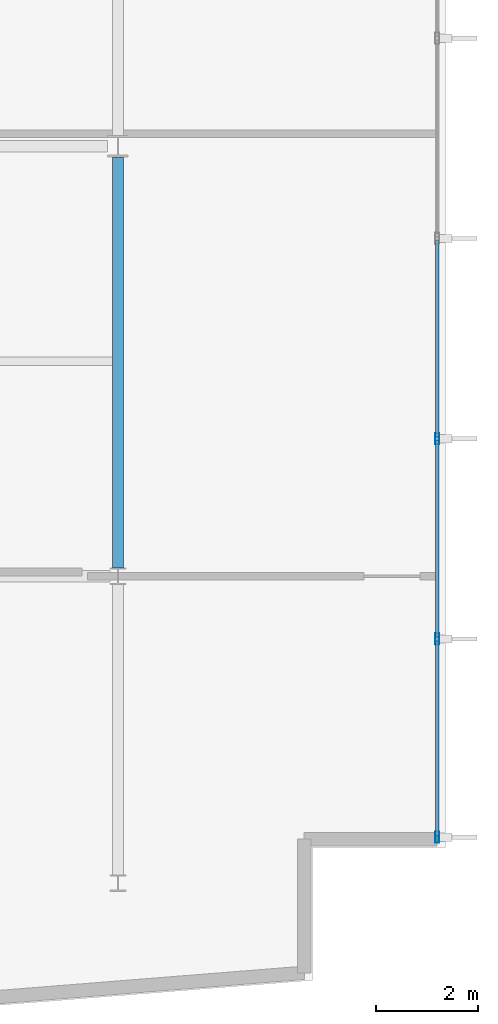
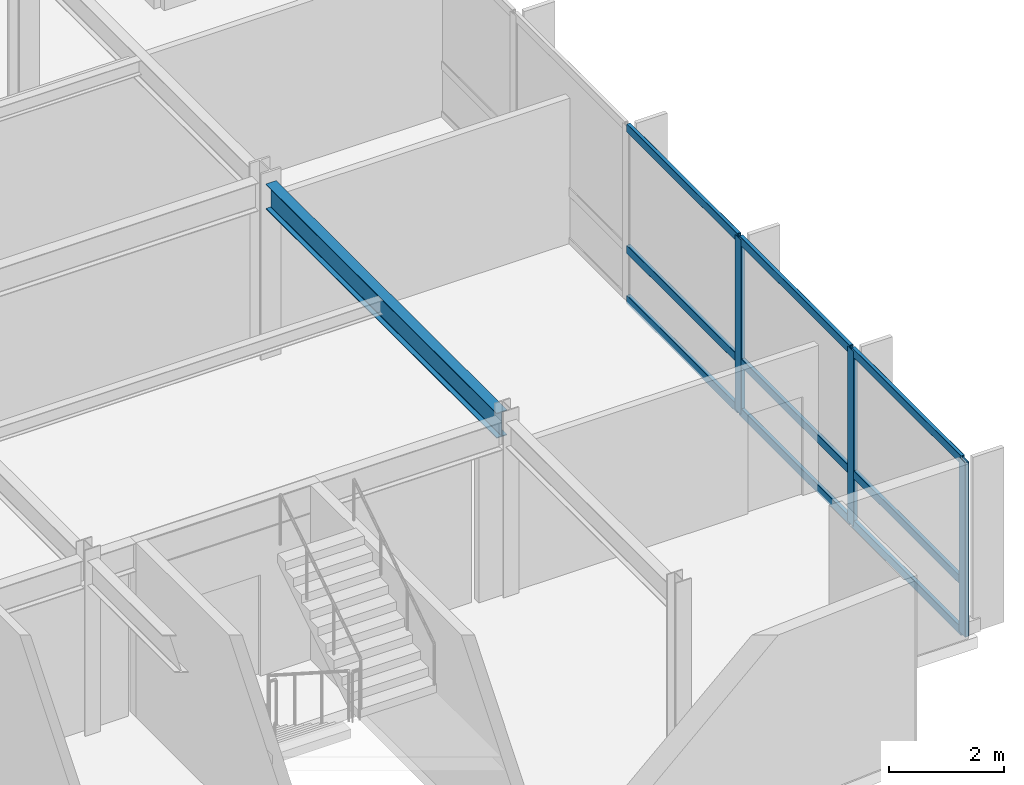
# One storey, part 5 of 17: 12 members, 1 beam, 1 element without a shape of its own.
"""IFC4 building model written with IfcOpenShell, lengths in metres."""

import ifcopenshell
import ifcopenshell.guid

model = None  # the IFC model being written
_history = None  # IfcOwnerHistory: only IFC2X3 demands one
_inside = {}  # id of a spatial element -> (the spatial element, [elements in it])
_under = {}  # id of a project, library or spatial element -> (it, [spatial elements below it])
_declared = {}  # id of a project -> (the project, [libraries it declares])
_typed = {}  # id of a type object -> (the type object, [elements of that type])
_made_of = {}  # id of a material, layer set ... -> (it, [elements and type objects made of it])


def new_model(schema):
    """Start an empty IFC model of exactly this schema.

    Asked for "IFC4X3", IfcOpenShell would pick the latest addendum, in which some entities
    have other attributes; the version numbers below select the first issue.
    IFC2X3 requires an IfcOwnerHistory on every rooted entity: one is made here for all.
    """
    global model, _history
    if schema == "IFC4X3":
        model = ifcopenshell.file(schema_version=(4, 3, 0, 0))
    else:
        model = ifcopenshell.file(schema=schema)
    _inside.clear()
    _under.clear()
    _declared.clear()
    _typed.clear()
    _made_of.clear()
    _history = None
    if model.schema == "IFC2X3":
        org = make("IfcOrganization", Name="unknown")
        user = make(
            "IfcPersonAndOrganization",
            ThePerson=make("IfcPerson", FamilyName="unknown"),
            TheOrganization=org,
        )
        app = make(
            "IfcApplication",
            ApplicationDeveloper=org,
            Version="unknown",
            ApplicationFullName="unknown",
            ApplicationIdentifier="unknown",
        )
        _history = make(
            "IfcOwnerHistory",
            OwningUser=user,
            OwningApplication=app,
            ChangeAction="ADDED",
            CreationDate=0,
        )
    return model


def make(cls, **values):
    """One entity of the class cls with the attributes given. An attribute that is None is left unset."""
    return model.create_entity(
        cls, **{name: value for name, value in values.items() if value is not None}
    )


def rooted(cls, **values):
    """An entity with a GlobalId (a new one), such as an element, a storey or a relation."""
    return make(cls, GlobalId=ifcopenshell.guid.new(), OwnerHistory=_history, **values)


def si_unit(unit_type, name, prefix=None):
    """IfcSIUnit, for example si_unit("LENGTHUNIT", "METRE", prefix="MILLI")."""
    return make("IfcSIUnit", UnitType=unit_type, Prefix=prefix, Name=name)


def assignment(units):
    """IfcUnitAssignment: the units of a project."""
    return None if units is None else make("IfcUnitAssignment", Units=units)


def point(xyz):
    """IfcCartesianPoint."""
    return None if xyz is None else make("IfcCartesianPoint", Coordinates=xyz)


def direction(xyz):
    """IfcDirection."""
    return None if xyz is None else make("IfcDirection", DirectionRatios=xyz)


def frame(location, z_axis=None, x_axis=None):
    """IfcAxis2Placement3D, a coordinate frame: its origin and axes. An axis left out is left unset."""
    return make(
        "IfcAxis2Placement3D",
        Location=point(location),
        Axis=direction(z_axis),
        RefDirection=direction(x_axis),
    )


def frame_2d(location, x_axis=None):
    """IfcAxis2Placement2D, a coordinate frame in the plane: its origin and x axis."""
    return make(
        "IfcAxis2Placement2D", Location=point(location), RefDirection=direction(x_axis)
    )


def origin():
    """The frame at (0, 0, 0) with its axes left unset."""
    return frame((0.0, 0.0, 0.0))


def origin_2d():
    """The frame at (0, 0) in the plane with its x axis left unset."""
    return frame_2d((0.0, 0.0))


def place(relative_to, where):
    """IfcLocalPlacement: puts the frame where relative to a parent placement (None: the world)."""
    return make(
        "IfcLocalPlacement", PlacementRelTo=relative_to, RelativePlacement=where
    )


def context(
    kind, dimensions, precision=None, world=None, true_north=None, identifier=None
):
    """IfcGeometricRepresentationContext, for example the 3D "Model" context."""
    return make(
        "IfcGeometricRepresentationContext",
        ContextIdentifier=identifier,
        ContextType=kind,
        CoordinateSpaceDimension=dimensions,
        Precision=precision,
        WorldCoordinateSystem=world,
        TrueNorth=true_north,
    )


def subcontext(parent, identifier, kind, view, scale=None):
    """IfcGeometricRepresentationSubContext, for example "Body" below "Model"."""
    return make(
        "IfcGeometricRepresentationSubContext",
        ContextIdentifier=identifier,
        ContextType=kind,
        ParentContext=parent,
        TargetScale=scale,
        TargetView=view,
    )


def project(units=None, contexts=None):
    """IfcProject with its units and contexts."""
    return rooted(
        "IfcProject",
        Name="project",
        RepresentationContexts=contexts,
        UnitsInContext=assignment(units),
    )


def spatial(cls, under=None, at=None, **own):
    """A site, building, storey or space (cls), placed at a placement, below another one or the project."""
    s = rooted(cls, ObjectPlacement=at, **own)
    if under is not None:
        _under.setdefault(under.id(), (under, []))[1].append(s)
    return s


def profile(cls, at=None, kind="AREA", **sizes):
    """A parametric profile (cls). Its sizes go by their IFC names, for example OverallWidth=200.0."""
    return make(cls, ProfileType=kind, Position=at, **sizes)


def hollow_rectangle(**sizes):
    """IfcRectangleHollowProfileDef."""
    return profile("IfcRectangleHollowProfileDef", **sizes)


def i_section(**sizes):
    """IfcIShapeProfileDef."""
    return profile("IfcIShapeProfileDef", **sizes)


def extrude(swept, where, along, depth):
    """IfcExtrudedAreaSolid: the profile swept, set in the frame where, extruded along a direction by depth."""
    return make(
        "IfcExtrudedAreaSolid",
        SweptArea=swept,
        Position=where,
        ExtrudedDirection=direction(along),
        Depth=depth,
    )


def shape(context_of_items, identifier, shape_type, items):
    """IfcShapeRepresentation: the items that make up one representation, for example the "Body"."""
    return make(
        "IfcShapeRepresentation",
        ContextOfItems=context_of_items,
        RepresentationIdentifier=identifier,
        RepresentationType=shape_type,
        Items=items,
    )


def material(Name=None, Category=None):
    """IfcMaterial."""
    return make("IfcMaterial", Name=Name, Category=Category)


def layer(
    of_material, thickness, ventilated=None, Name=None, Category=None, Priority=None
):
    """IfcMaterialLayer: one layer of a wall or slab, of a material (None: an air gap)."""
    return make(
        "IfcMaterialLayer",
        Material=of_material,
        LayerThickness=thickness,
        IsVentilated=ventilated,
        Name=Name,
        Category=Category,
        Priority=Priority,
    )


def layer_set(layers, Name=None):
    """IfcMaterialLayerSet."""
    return make("IfcMaterialLayerSet", MaterialLayers=layers, LayerSetName=Name)


def material_profile(
    of_material, cross_section, Name=None, Category=None, Priority=None
):
    """IfcMaterialProfile: a cross section and its material."""
    return make(
        "IfcMaterialProfile",
        Name=Name,
        Material=of_material,
        Profile=cross_section,
        Priority=Priority,
        Category=Category,
    )


def profile_set(profiles, Name=None, composite=None):
    """IfcMaterialProfileSet."""
    return make(
        "IfcMaterialProfileSet",
        Name=Name,
        MaterialProfiles=profiles,
        CompositeProfile=composite,
    )


def made_of(thing, what):
    """Note that an element or type object is made of a material, layer set ...; save() writes the relation."""
    if what is not None:
        _made_of.setdefault(what.id(), (what, []))[1].append(thing)
    return thing


def type_object(cls, material=None, **own):
    """A type object (cls), such as IfcWallType, which elements share."""
    return made_of(rooted(cls, **own), material)


def element(
    cls,
    number,
    at=None,
    inside=None,
    cuts=None,
    type_object=None,
    material=None,
    context=None,
    identifier="Body",
    shape_type=None,
    held_by="IfcProductDefinitionShape",
    body=None,
    shapes=None,
    **own,
):
    """One element of the class cls, such as IfcWall. Its Tag is "e" and its number.

    at: its placement. inside: the storey or other place that contains it. cuts: it is an
    opening in that element (IfcRelVoidsElement). A single representation is given by context,
    identifier, shape_type and body (its items); several are given by shapes. held_by: the class
    of the entity that holds the representations. save() writes the other relations.
    """
    e = rooted(cls, Tag="e%d" % number, ObjectPlacement=at, **own)
    if body is not None:
        shapes = [shape(context, identifier, shape_type, body)]
    if shapes is not None:
        e.Representation = make(held_by, Representations=shapes)
    if inside is not None:
        _inside.setdefault(inside.id(), (inside, []))[1].append(e)
    if cuts is not None:
        rooted(
            "IfcRelVoidsElement", RelatingBuildingElement=cuts, RelatedOpeningElement=e
        )
    if type_object is not None:
        _typed.setdefault(type_object.id(), (type_object, []))[1].append(e)
    return made_of(e, material)


def aggregate(whole, parts):
    """IfcRelAggregates: a whole, such as a stair, and the parts it consists of."""
    return rooted("IfcRelAggregates", RelatingObject=whole, RelatedObjects=parts)


def save(model, path):
    """Write the relations noted so far, then the file.

    IfcRelAggregates (storeys below a building ...), IfcRelContainedInSpatialStructure (elements
    in a storey), IfcRelDefinesByType, IfcRelAssociatesMaterial and IfcRelDeclares: one each for
    every whole, place, type object, material and project.
    """
    for whole, parts in _under.values():
        aggregate(whole, parts)
    for where, things in _inside.values():
        rooted(
            "IfcRelContainedInSpatialStructure",
            RelatedElements=things,
            RelatingStructure=where,
        )
    for kind, things in _typed.values():
        rooted("IfcRelDefinesByType", RelatedObjects=things, RelatingType=kind)
    for what, things in _made_of.values():
        rooted("IfcRelAssociatesMaterial", RelatedObjects=things, RelatingMaterial=what)
    for by, libraries in _declared.values():
        rooted("IfcRelDeclares", RelatingContext=by, RelatedDefinitions=libraries)
    model.write(path)


model = new_model("IFC4")

# Units and contexts
model_context = context("Model", 3, precision=1e-05, world=origin(), true_north=direction((0.0, 1.0)))
body_context = subcontext(model_context, "Body", "Model", "MODEL_VIEW")
ifc_project = project(units=[si_unit("LENGTHUNIT", "METRE"), si_unit("AREAUNIT", "SQUARE_METRE"), si_unit("VOLUMEUNIT", "CUBIC_METRE"), si_unit("PLANEANGLEUNIT", "RADIAN"), si_unit("MASSUNIT", "GRAM", prefix="KILO")], contexts=[model_context])

# Site, building, storey
site_placement = place(None, origin())
site = spatial("IfcSite", under=ifc_project, at=site_placement, CompositionType="ELEMENT")
building_placement = place(site_placement, origin())
building = spatial("IfcBuilding", under=site, at=building_placement, Name="Varnakote Quay Hospital", CompositionType="ELEMENT")
storey_placement = place(building_placement, frame((0.0, 0.0, 103.35009765625)))
storey = spatial("IfcBuildingStorey", under=building, at=storey_placement, Name="L25", CompositionType="ELEMENT", Elevation=103.35009765625)

# Beam
ifc_material_1 = material(Name="Structural steel AS/NZS 3679.1 Grade 350 L0 (fy 340 MPa)", Category="steel")
ifc_material_profile_1 = material_profile(ifc_material_1, i_section(OverallWidth=0.208984375, OverallDepth=0.532958984375, WebThickness=0.01025390625, FlangeThickness=0.015625, FilletRadius=0.013916015625, at=origin_2d()), Name="530UB92.4")
ifc_profile_set_1 = profile_set([ifc_material_profile_1], Name="Structural steel AS/NZS 3679.1 Grade 350 L0 (fy 340 MPa)")
beam_type = type_object("IfcBeamType", Name="BM-STL-530UB92-4", PredefinedType="BEAM", material=ifc_profile_set_1)
beam_placement = place(storey_placement, frame((50.39990234375, 12.160400390625, 3.443359375), z_axis=(0.0, 1.0, 0.0), x_axis=(-1.0, 0.0, 0.0)))
element("IfcBeam", 1, at=beam_placement, inside=storey, type_object=beam_type, Name="L25 Primary Tie Beam", PredefinedType="BEAM", context=body_context, shape_type="SweptSolid", body=[
    extrude(i_section(OverallWidth=0.208984375, OverallDepth=0.532958984375, WebThickness=0.01025390625, FlangeThickness=0.015625, FilletRadius=0.013916015625, at=origin_2d()), origin(), (0.0, 0.0, 1.0), 8.029541015625),
])

# Curtain wall, members
ifc_material_2 = material(Name="Anodised aluminium 6063-T6 Bronze", Category="aluminium")
ifc_layer = layer(ifc_material_2, 0.205078125)
ifc_layer_set = layer_set([ifc_layer], Name="Anodised aluminium 6063-T6 Bronze")
curtain_wall_type = type_object("IfcCurtainWallType", Name="CW-SYS-3", PredefinedType="NOTDEFINED", material=ifc_layer_set)
curtain_wall_placement = place(storey_placement, origin())
curtain_wall = element("IfcCurtainWall", 2, at=curtain_wall_placement, inside=storey, type_object=curtain_wall_type, Name="L25 Unitised Bronze Curtain Wall 1", PredefinedType="NOTDEFINED")
ifc_material_3 = material(Name="Anodised aluminium 6063-T6 Bronze", Category="aluminium")
ifc_material_profile_2 = material_profile(ifc_material_3, hollow_rectangle(XDim=0.074951171875, YDim=0.219970703125, WallThickness=0.00439453125, InnerFilletRadius=0.00439453125, OuterFilletRadius=0.009033203125, at=origin_2d()), Name="CW-MULL-220x75")
ifc_profile_set_2 = profile_set([ifc_material_profile_2], Name="Anodised aluminium 6063-T6 Bronze")
member_type_1 = type_object("IfcMemberType", Name="CW-MULL-220x75", PredefinedType="MULLION", material=ifc_profile_set_2)
member_1_placement = place(storey_placement, frame((56.639892578125, 6.8974609375, 0.0), z_axis=(0.0, 0.0, 1.0), x_axis=(-1.0, 0.0, 0.0)))
member_1 = element("IfcMember", 3, at=member_1_placement, type_object=member_type_1, Name="-3-L25-1 mullion 1", PredefinedType="MULLION", context=body_context, shape_type="SweptSolid", body=[
    extrude(hollow_rectangle(XDim=0.074951171875, YDim=0.219970703125, WallThickness=0.00439453125, InnerFilletRadius=0.00439453125, OuterFilletRadius=0.009033203125, at=origin_2d()), origin(), (0.0, 0.0, 1.0), 3.7099609375),
])
member_2_placement = place(storey_placement, frame((56.639892578125, 10.7734375, 0.0), z_axis=(0.0, 0.0, 1.0), x_axis=(-1.0, 0.0, 0.0)))
member_2 = element("IfcMember", 4, at=member_2_placement, type_object=member_type_1, Name="-3-L25-1 mullion 2", PredefinedType="MULLION", context=body_context, shape_type="SweptSolid", body=[
    extrude(hollow_rectangle(XDim=0.074951171875, YDim=0.219970703125, WallThickness=0.00439453125, InnerFilletRadius=0.00439453125, OuterFilletRadius=0.009033203125, at=origin_2d()), origin(), (0.0, 0.0, 1.0), 3.7099609375),
])
member_3_placement = place(storey_placement, frame((56.639892578125, 14.686767578125, 0.0), z_axis=(0.0, 0.0, 1.0), x_axis=(-1.0, 0.0, 0.0)))
member_3 = element("IfcMember", 5, at=member_3_placement, type_object=member_type_1, Name="-3-L25-1 mullion 3", PredefinedType="MULLION", context=body_context, shape_type="SweptSolid", body=[
    extrude(hollow_rectangle(XDim=0.074951171875, YDim=0.219970703125, WallThickness=0.00439453125, InnerFilletRadius=0.00439453125, OuterFilletRadius=0.009033203125, at=origin_2d()), origin(), (0.0, 0.0, 1.0), 3.7099609375),
])
ifc_material_4 = material(Name="Anodised aluminium 6063-T6 Bronze", Category="aluminium")
ifc_material_profile_3 = material_profile(ifc_material_4, hollow_rectangle(XDim=0.074951171875, YDim=0.179931640625, WallThickness=0.004150390625, InnerFilletRadius=0.004150390625, OuterFilletRadius=0.00830078125, at=origin_2d()), Name="CW-TRAN-180x75")
ifc_profile_set_3 = profile_set([ifc_material_profile_3], Name="Anodised aluminium 6063-T6 Bronze")
member_type_2 = type_object("IfcMemberType", Name="CW-TRAN-180x75", PredefinedType="USERDEFINED", material=ifc_profile_set_3)
member_4_placement = place(storey_placement, frame((56.639892578125, 6.93505859375, 0.037353515625), z_axis=(0.0, 1.0, 0.0), x_axis=(-1.0, 0.0, 0.0)))
member_4 = element("IfcMember", 6, at=member_4_placement, type_object=member_type_2, Name="-3-L25-1 transom 1.1", ObjectType="TRANSOM", PredefinedType="USERDEFINED", context=body_context, shape_type="SweptSolid", body=[
    extrude(hollow_rectangle(XDim=0.074951171875, YDim=0.179931640625, WallThickness=0.004150390625, InnerFilletRadius=0.004150390625, OuterFilletRadius=0.00830078125, at=origin_2d()), origin(), (0.0, 0.0, 1.0), 3.80078125),
])
member_5_placement = place(storey_placement, frame((56.639892578125, 6.93505859375, 1.099853515625), z_axis=(0.0, 1.0, 0.0), x_axis=(-1.0, 0.0, 0.0)))
member_5 = element("IfcMember", 7, at=member_5_placement, type_object=member_type_2, Name="-3-L25-1 transom 1.2", ObjectType="TRANSOM", PredefinedType="USERDEFINED", context=body_context, shape_type="SweptSolid", body=[
    extrude(hollow_rectangle(XDim=0.074951171875, YDim=0.179931640625, WallThickness=0.004150390625, InnerFilletRadius=0.004150390625, OuterFilletRadius=0.00830078125, at=origin_2d()), origin(), (0.0, 0.0, 1.0), 3.80078125),
])
member_6_placement = place(storey_placement, frame((56.639892578125, 6.93505859375, 3.67236328125), z_axis=(0.0, 1.0, 0.0), x_axis=(-1.0, 0.0, 0.0)))
member_6 = element("IfcMember", 8, at=member_6_placement, type_object=member_type_2, Name="-3-L25-1 transom 1.3", ObjectType="TRANSOM", PredefinedType="USERDEFINED", context=body_context, shape_type="SweptSolid", body=[
    extrude(hollow_rectangle(XDim=0.074951171875, YDim=0.179931640625, WallThickness=0.004150390625, InnerFilletRadius=0.004150390625, OuterFilletRadius=0.00830078125, at=origin_2d()), origin(), (0.0, 0.0, 1.0), 3.80078125),
])
member_7_placement = place(storey_placement, frame((56.639892578125, 10.810791015625, 0.037353515625), z_axis=(0.0, 1.0, 0.0), x_axis=(-1.0, 0.0, 0.0)))
member_7 = element("IfcMember", 9, at=member_7_placement, type_object=member_type_2, Name="-3-L25-1 transom 2.1", ObjectType="TRANSOM", PredefinedType="USERDEFINED", context=body_context, shape_type="SweptSolid", body=[
    extrude(hollow_rectangle(XDim=0.074951171875, YDim=0.179931640625, WallThickness=0.004150390625, InnerFilletRadius=0.004150390625, OuterFilletRadius=0.00830078125, at=origin_2d()), origin(), (0.0, 0.0, 1.0), 3.83837890625),
])
member_8_placement = place(storey_placement, frame((56.639892578125, 10.810791015625, 1.099853515625), z_axis=(0.0, 1.0, 0.0), x_axis=(-1.0, 0.0, 0.0)))
member_8 = element("IfcMember", 10, at=member_8_placement, type_object=member_type_2, Name="-3-L25-1 transom 2.2", ObjectType="TRANSOM", PredefinedType="USERDEFINED", context=body_context, shape_type="SweptSolid", body=[
    extrude(hollow_rectangle(XDim=0.074951171875, YDim=0.179931640625, WallThickness=0.004150390625, InnerFilletRadius=0.004150390625, OuterFilletRadius=0.00830078125, at=origin_2d()), origin(), (0.0, 0.0, 1.0), 3.83837890625),
])
member_9_placement = place(storey_placement, frame((56.639892578125, 10.810791015625, 3.67236328125), z_axis=(0.0, 1.0, 0.0), x_axis=(-1.0, 0.0, 0.0)))
member_9 = element("IfcMember", 11, at=member_9_placement, type_object=member_type_2, Name="-3-L25-1 transom 2.3", ObjectType="TRANSOM", PredefinedType="USERDEFINED", context=body_context, shape_type="SweptSolid", body=[
    extrude(hollow_rectangle(XDim=0.074951171875, YDim=0.179931640625, WallThickness=0.004150390625, InnerFilletRadius=0.004150390625, OuterFilletRadius=0.00830078125, at=origin_2d()), origin(), (0.0, 0.0, 1.0), 3.83837890625),
])
member_10_placement = place(storey_placement, frame((56.639892578125, 14.72412109375, 0.037353515625), z_axis=(0.0, 1.0, 0.0), x_axis=(-1.0, 0.0, 0.0)))
member_10 = element("IfcMember", 12, at=member_10_placement, type_object=member_type_2, Name="-3-L25-1 transom 3.1", ObjectType="TRANSOM", PredefinedType="USERDEFINED", context=body_context, shape_type="SweptSolid", body=[
    extrude(hollow_rectangle(XDim=0.074951171875, YDim=0.179931640625, WallThickness=0.004150390625, InnerFilletRadius=0.004150390625, OuterFilletRadius=0.00830078125, at=origin_2d()), origin(), (0.0, 0.0, 1.0), 3.83837890625),
])
member_11_placement = place(storey_placement, frame((56.639892578125, 14.72412109375, 1.099853515625), z_axis=(0.0, 1.0, 0.0), x_axis=(-1.0, 0.0, 0.0)))
member_11 = element("IfcMember", 13, at=member_11_placement, type_object=member_type_2, Name="-3-L25-1 transom 3.2", ObjectType="TRANSOM", PredefinedType="USERDEFINED", context=body_context, shape_type="SweptSolid", body=[
    extrude(hollow_rectangle(XDim=0.074951171875, YDim=0.179931640625, WallThickness=0.004150390625, InnerFilletRadius=0.004150390625, OuterFilletRadius=0.00830078125, at=origin_2d()), origin(), (0.0, 0.0, 1.0), 3.83837890625),
])
member_12_placement = place(storey_placement, frame((56.639892578125, 14.72412109375, 3.67236328125), z_axis=(0.0, 1.0, 0.0), x_axis=(-1.0, 0.0, 0.0)))
member_12 = element("IfcMember", 14, at=member_12_placement, type_object=member_type_2, Name="-3-L25-1 transom 3.3", ObjectType="TRANSOM", PredefinedType="USERDEFINED", context=body_context, shape_type="SweptSolid", body=[
    extrude(hollow_rectangle(XDim=0.074951171875, YDim=0.179931640625, WallThickness=0.004150390625, InnerFilletRadius=0.004150390625, OuterFilletRadius=0.00830078125, at=origin_2d()), origin(), (0.0, 0.0, 1.0), 3.83837890625),
])
aggregate(curtain_wall, [member_1, member_2, member_3, member_4, member_5, member_6, member_7, member_8, member_9, member_10, member_11, member_12])

save(model, "model.ifc")
